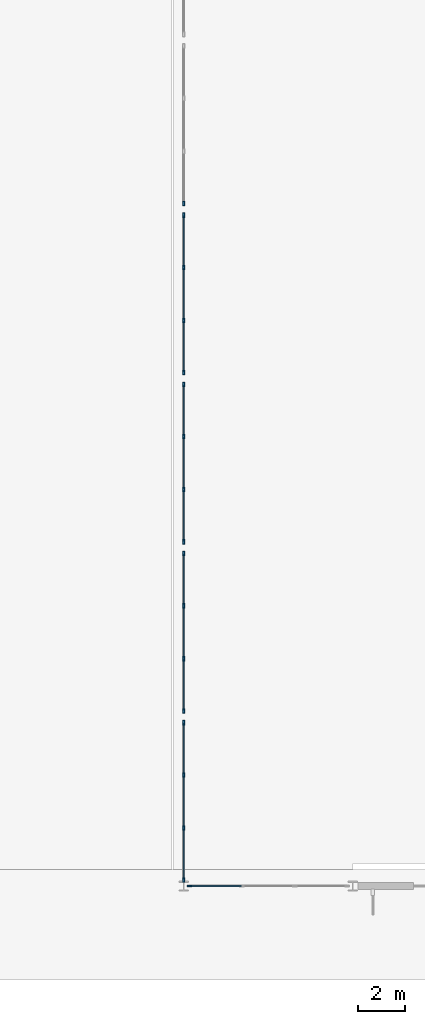
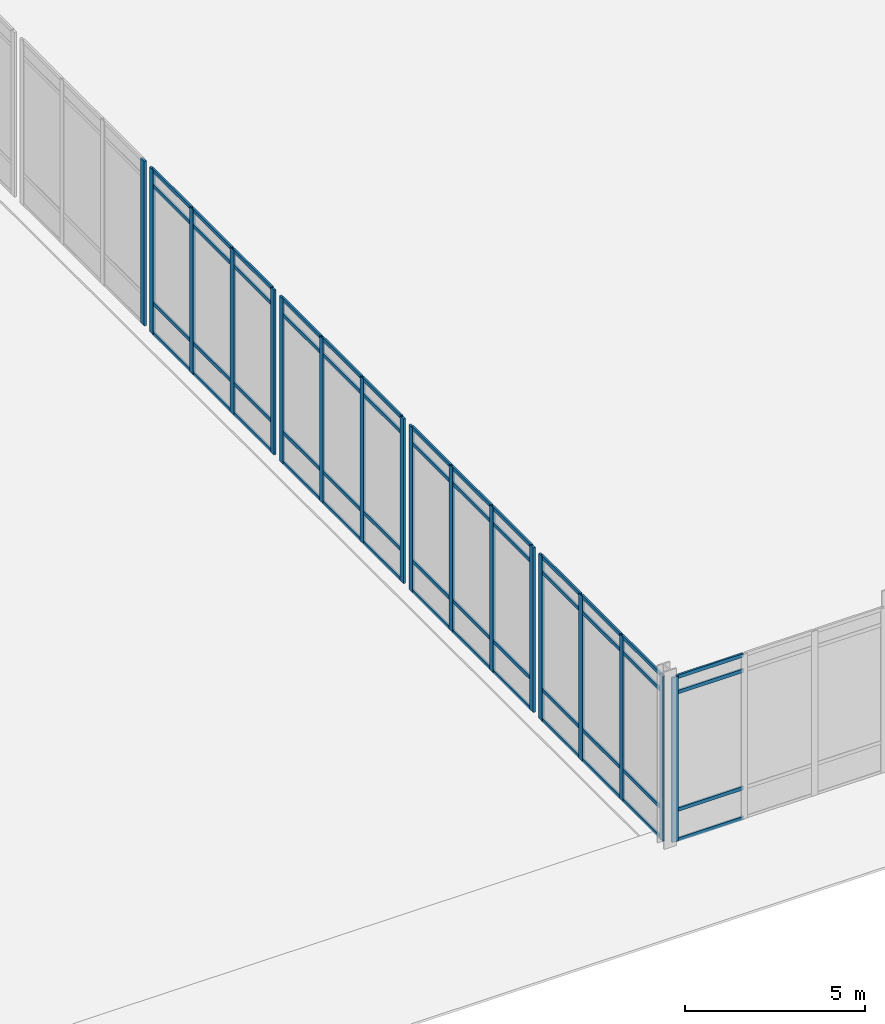
# One storey, part 19 of 104: 70 members, 6 elements without a shape of their own.
"""IFC4 building model written with IfcOpenShell, lengths in metres."""

from ifc_helpers import new_model, si_unit, direction, frame, origin, origin_2d, place, context, subcontext, project, spatial, rectangle, extrude, material, material_profile, profile_set, type_object, element, aggregate, save


model = new_model("IFC4")

# Units and contexts
model_context = context("Model", 3, precision=1e-05, world=origin(), true_north=direction((0.0, 1.0)))
body_context = subcontext(model_context, "Body", "Model", "MODEL_VIEW")
ifc_project = project(units=[si_unit("LENGTHUNIT", "METRE"), si_unit("AREAUNIT", "SQUARE_METRE"), si_unit("VOLUMEUNIT", "CUBIC_METRE"), si_unit("PLANEANGLEUNIT", "RADIAN"), si_unit("MASSUNIT", "GRAM", prefix="KILO")], contexts=[model_context])

# Site, building, storey
site_placement = place(None, origin())
site = spatial("IfcSite", under=ifc_project, at=site_placement, CompositionType="ELEMENT")
building_placement = place(site_placement, origin())
building = spatial("IfcBuilding", under=site, at=building_placement, Name="Vaelcorin Mobility Hub", CompositionType="ELEMENT")
storey_placement = place(building_placement, origin())
storey = spatial("IfcBuildingStorey", under=building, at=storey_placement, Name="L00", CompositionType="ELEMENT", Elevation=0.0)

# Curtain wall, member
ifc_material = material(Name="Anodised aluminium 6063-T6", Category="aluminium")
curtain_wall_type = type_object("IfcCurtainWallType", Name="CW-CONC-A", PredefinedType="NOTDEFINED", material=ifc_material)
curtain_wall_1_placement = place(storey_placement, origin())
curtain_wall_1 = element("IfcCurtainWall", 1, at=curtain_wall_1_placement, inside=storey, type_object=curtain_wall_type, Name="L00 Curtain Wall CW-V1-S-01", PredefinedType="NOTDEFINED")
ifc_material_profile_1 = material_profile(ifc_material, rectangle(XDim=0.070068359375, YDim=0.199951171875, at=origin_2d()), Name="ALU-M70X200")
ifc_profile_set_1 = profile_set([ifc_material_profile_1], Name="Anodised aluminium 6063-T6")
member_type_1 = type_object("IfcMemberType", Name="CW-MULL-200", PredefinedType="MULLION", material=ifc_profile_set_1)
member_1_placement = place(storey_placement, frame((36.25, 6.0, 0.0), z_axis=(0.0, 0.0, 1.0), x_axis=(0.0, -1.0, 0.0)))
member_1 = element("IfcMember", 2, at=member_1_placement, type_object=member_type_1, Name="CW1 mullion 4", PredefinedType="MULLION", context=body_context, shape_type="SweptSolid", body=[
    extrude(rectangle(XDim=0.070068359375, YDim=0.199951171875, at=origin_2d()), origin(), (0.0, 0.0, 1.0), 5.580078125),
])

# Curtain wall, members
curtain_wall_2_placement = place(storey_placement, origin())
curtain_wall_2 = element("IfcCurtainWall", 3, at=curtain_wall_2_placement, inside=storey, type_object=curtain_wall_type, Name="L00 Curtain Wall CW-V1-W-01", PredefinedType="NOTDEFINED")
member_2_placement = place(storey_placement, frame((36.0, 6.25, 0.0), z_axis=(0.0, 0.0, 1.0), x_axis=(-1.0, 0.0, 0.0)))
member_2 = element("IfcMember", 4, at=member_2_placement, type_object=member_type_1, Name="CW1 mullion 1", PredefinedType="MULLION", context=body_context, shape_type="SweptSolid", body=[
    extrude(rectangle(XDim=0.070068359375, YDim=0.199951171875, at=origin_2d()), origin(), (0.0, 0.0, 1.0), 5.580078125),
])
member_3_placement = place(storey_placement, frame((36.0, 8.473388671875, 0.0), z_axis=(0.0, 0.0, 1.0), x_axis=(-1.0, 0.0, 0.0)))
member_3 = element("IfcMember", 5, at=member_3_placement, type_object=member_type_1, Name="CW1 mullion 2", PredefinedType="MULLION", context=body_context, shape_type="SweptSolid", body=[
    extrude(rectangle(XDim=0.070068359375, YDim=0.199951171875, at=origin_2d()), origin(), (0.0, 0.0, 1.0), 5.580078125),
])
member_4_placement = place(storey_placement, frame((36.0, 10.7265625, 0.0), z_axis=(0.0, 0.0, 1.0), x_axis=(-1.0, 0.0, 0.0)))
member_4 = element("IfcMember", 6, at=member_4_placement, type_object=member_type_1, Name="CW1 mullion 3", PredefinedType="MULLION", context=body_context, shape_type="SweptSolid", body=[
    extrude(rectangle(XDim=0.070068359375, YDim=0.199951171875, at=origin_2d()), origin(), (0.0, 0.0, 1.0), 5.580078125),
])
member_5_placement = place(storey_placement, frame((36.0, 12.949951171875, 0.0), z_axis=(0.0, 0.0, 1.0), x_axis=(-1.0, 0.0, 0.0)))
member_5 = element("IfcMember", 7, at=member_5_placement, type_object=member_type_1, Name="CW1 mullion 4", PredefinedType="MULLION", context=body_context, shape_type="SweptSolid", body=[
    extrude(rectangle(XDim=0.070068359375, YDim=0.199951171875, at=origin_2d()), origin(), (0.0, 0.0, 1.0), 5.580078125),
])

curtain_wall_3_placement = place(storey_placement, origin())
curtain_wall_3 = element("IfcCurtainWall", 8, at=curtain_wall_3_placement, inside=storey, type_object=curtain_wall_type, Name="L00 Curtain Wall CW-V1-W-02", PredefinedType="NOTDEFINED")
member_6_placement = place(storey_placement, frame((36.0, 13.449951171875, 0.0), z_axis=(0.0, 0.0, 1.0), x_axis=(-1.0, 0.0, 0.0)))
member_6 = element("IfcMember", 9, at=member_6_placement, type_object=member_type_1, Name="CW1 mullion 1", PredefinedType="MULLION", context=body_context, shape_type="SweptSolid", body=[
    extrude(rectangle(XDim=0.070068359375, YDim=0.199951171875, at=origin_2d()), origin(), (0.0, 0.0, 1.0), 5.580078125),
])
member_7_placement = place(storey_placement, frame((36.0, 15.67333984375, 0.0), z_axis=(0.0, 0.0, 1.0), x_axis=(-1.0, 0.0, 0.0)))
member_7 = element("IfcMember", 10, at=member_7_placement, type_object=member_type_1, Name="CW1 mullion 2", PredefinedType="MULLION", context=body_context, shape_type="SweptSolid", body=[
    extrude(rectangle(XDim=0.070068359375, YDim=0.199951171875, at=origin_2d()), origin(), (0.0, 0.0, 1.0), 5.580078125),
])
member_8_placement = place(storey_placement, frame((36.0, 17.9267578125, 0.0), z_axis=(0.0, 0.0, 1.0), x_axis=(-1.0, 0.0, 0.0)))
member_8 = element("IfcMember", 11, at=member_8_placement, type_object=member_type_1, Name="CW1 mullion 3", PredefinedType="MULLION", context=body_context, shape_type="SweptSolid", body=[
    extrude(rectangle(XDim=0.070068359375, YDim=0.199951171875, at=origin_2d()), origin(), (0.0, 0.0, 1.0), 5.580078125),
])
member_9_placement = place(storey_placement, frame((36.0, 20.14990234375, 0.0), z_axis=(0.0, 0.0, 1.0), x_axis=(-1.0, 0.0, 0.0)))
member_9 = element("IfcMember", 12, at=member_9_placement, type_object=member_type_1, Name="CW1 mullion 4", PredefinedType="MULLION", context=body_context, shape_type="SweptSolid", body=[
    extrude(rectangle(XDim=0.070068359375, YDim=0.199951171875, at=origin_2d()), origin(), (0.0, 0.0, 1.0), 5.580078125),
])

curtain_wall_4_placement = place(storey_placement, origin())
curtain_wall_4 = element("IfcCurtainWall", 13, at=curtain_wall_4_placement, inside=storey, type_object=curtain_wall_type, Name="L00 Curtain Wall CW-V1-W-03", PredefinedType="NOTDEFINED")
member_10_placement = place(storey_placement, frame((36.0, 20.64990234375, 0.0), z_axis=(0.0, 0.0, 1.0), x_axis=(-1.0, 0.0, 0.0)))
member_10 = element("IfcMember", 14, at=member_10_placement, type_object=member_type_1, Name="CW1 mullion 1", PredefinedType="MULLION", context=body_context, shape_type="SweptSolid", body=[
    extrude(rectangle(XDim=0.070068359375, YDim=0.199951171875, at=origin_2d()), origin(), (0.0, 0.0, 1.0), 5.580078125),
])
member_11_placement = place(storey_placement, frame((36.0, 22.873291015625, 0.0), z_axis=(0.0, 0.0, 1.0), x_axis=(-1.0, 0.0, 0.0)))
member_11 = element("IfcMember", 15, at=member_11_placement, type_object=member_type_1, Name="CW1 mullion 2", PredefinedType="MULLION", context=body_context, shape_type="SweptSolid", body=[
    extrude(rectangle(XDim=0.070068359375, YDim=0.199951171875, at=origin_2d()), origin(), (0.0, 0.0, 1.0), 5.580078125),
])
member_12_placement = place(storey_placement, frame((36.0, 25.126708984375, 0.0), z_axis=(0.0, 0.0, 1.0), x_axis=(-1.0, 0.0, 0.0)))
member_12 = element("IfcMember", 16, at=member_12_placement, type_object=member_type_1, Name="CW1 mullion 3", PredefinedType="MULLION", context=body_context, shape_type="SweptSolid", body=[
    extrude(rectangle(XDim=0.070068359375, YDim=0.199951171875, at=origin_2d()), origin(), (0.0, 0.0, 1.0), 5.580078125),
])
member_13_placement = place(storey_placement, frame((36.0, 27.35009765625, 0.0), z_axis=(0.0, 0.0, 1.0), x_axis=(-1.0, 0.0, 0.0)))
member_13 = element("IfcMember", 17, at=member_13_placement, type_object=member_type_1, Name="CW1 mullion 4", PredefinedType="MULLION", context=body_context, shape_type="SweptSolid", body=[
    extrude(rectangle(XDim=0.070068359375, YDim=0.199951171875, at=origin_2d()), origin(), (0.0, 0.0, 1.0), 5.580078125),
])

curtain_wall_5_placement = place(storey_placement, origin())
curtain_wall_5 = element("IfcCurtainWall", 18, at=curtain_wall_5_placement, inside=storey, type_object=curtain_wall_type, Name="L00 Curtain Wall CW-V1-W-04", PredefinedType="NOTDEFINED")
member_14_placement = place(storey_placement, frame((36.0, 27.85009765625, 0.0), z_axis=(0.0, 0.0, 1.0), x_axis=(-1.0, 0.0, 0.0)))
member_14 = element("IfcMember", 19, at=member_14_placement, type_object=member_type_1, Name="CW1 mullion 1", PredefinedType="MULLION", context=body_context, shape_type="SweptSolid", body=[
    extrude(rectangle(XDim=0.070068359375, YDim=0.199951171875, at=origin_2d()), origin(), (0.0, 0.0, 1.0), 5.580078125),
])
member_15_placement = place(storey_placement, frame((36.0, 30.0732421875, 0.0), z_axis=(0.0, 0.0, 1.0), x_axis=(-1.0, 0.0, 0.0)))
member_15 = element("IfcMember", 20, at=member_15_placement, type_object=member_type_1, Name="CW1 mullion 2", PredefinedType="MULLION", context=body_context, shape_type="SweptSolid", body=[
    extrude(rectangle(XDim=0.070068359375, YDim=0.199951171875, at=origin_2d()), origin(), (0.0, 0.0, 1.0), 5.580078125),
])
member_16_placement = place(storey_placement, frame((36.0, 32.32666015625, 0.0), z_axis=(0.0, 0.0, 1.0), x_axis=(-1.0, 0.0, 0.0)))
member_16 = element("IfcMember", 21, at=member_16_placement, type_object=member_type_1, Name="CW1 mullion 3", PredefinedType="MULLION", context=body_context, shape_type="SweptSolid", body=[
    extrude(rectangle(XDim=0.070068359375, YDim=0.199951171875, at=origin_2d()), origin(), (0.0, 0.0, 1.0), 5.580078125),
])
member_17_placement = place(storey_placement, frame((36.0, 34.550048828125, 0.0), z_axis=(0.0, 0.0, 1.0), x_axis=(-1.0, 0.0, 0.0)))
member_17 = element("IfcMember", 22, at=member_17_placement, type_object=member_type_1, Name="CW1 mullion 4", PredefinedType="MULLION", context=body_context, shape_type="SweptSolid", body=[
    extrude(rectangle(XDim=0.070068359375, YDim=0.199951171875, at=origin_2d()), origin(), (0.0, 0.0, 1.0), 5.580078125),
])

# Curtain wall, member
curtain_wall_6_placement = place(storey_placement, origin())
curtain_wall_6 = element("IfcCurtainWall", 23, at=curtain_wall_6_placement, inside=storey, type_object=curtain_wall_type, Name="L00 Curtain Wall CW-V1-W-05", PredefinedType="NOTDEFINED")
member_18_placement = place(storey_placement, frame((36.0, 35.050048828125, 0.0), z_axis=(0.0, 0.0, 1.0), x_axis=(-1.0, 0.0, 0.0)))
member_18 = element("IfcMember", 24, at=member_18_placement, type_object=member_type_1, Name="CW1 mullion 1", PredefinedType="MULLION", context=body_context, shape_type="SweptSolid", body=[
    extrude(rectangle(XDim=0.070068359375, YDim=0.199951171875, at=origin_2d()), origin(), (0.0, 0.0, 1.0), 5.580078125),
])
aggregate(curtain_wall_6, [member_18])

# Member
ifc_material_profile_2 = material_profile(ifc_material, rectangle(XDim=0.06005859375, YDim=0.1201171875, at=origin_2d()), Name="ALU-T60X120")
ifc_profile_set_2 = profile_set([ifc_material_profile_2], Name="Anodised aluminium 6063-T6")
member_type_2 = type_object("IfcMemberType", Name="CW-TRAN-140", PredefinedType="USERDEFINED", material=ifc_profile_set_2)
member_19_placement = place(storey_placement, frame((38.443359375, 6.0, 0.030029296875), z_axis=(-1.0, 0.0, 0.0), x_axis=(0.0, -1.0, 0.0)))
member_19 = element("IfcMember", 25, at=member_19_placement, type_object=member_type_2, Name="CW1 transom 3.1", ObjectType="TRANSOM", PredefinedType="USERDEFINED", context=body_context, shape_type="SweptSolid", body=[
    extrude(rectangle(XDim=0.06005859375, YDim=0.1201171875, at=origin_2d()), origin(), (0.0, 0.0, 1.0), 2.163330078125),
])

member_20_placement = place(storey_placement, frame((38.443359375, 6.0, 1.050048828125), z_axis=(-1.0, 0.0, 0.0), x_axis=(0.0, -1.0, 0.0)))
member_20 = element("IfcMember", 26, at=member_20_placement, type_object=member_type_2, Name="CW1 transom 3.2", ObjectType="TRANSOM", PredefinedType="USERDEFINED", context=body_context, shape_type="SweptSolid", body=[
    extrude(rectangle(XDim=0.06005859375, YDim=0.1201171875, at=origin_2d()), origin(), (0.0, 0.0, 1.0), 2.163330078125),
])

member_21_placement = place(storey_placement, frame((38.443359375, 6.0, 5.030029296875), z_axis=(-1.0, 0.0, 0.0), x_axis=(0.0, -1.0, 0.0)))
member_21 = element("IfcMember", 27, at=member_21_placement, type_object=member_type_2, Name="CW1 transom 3.3", ObjectType="TRANSOM", PredefinedType="USERDEFINED", context=body_context, shape_type="SweptSolid", body=[
    extrude(rectangle(XDim=0.06005859375, YDim=0.1201171875, at=origin_2d()), origin(), (0.0, 0.0, 1.0), 2.163330078125),
])

member_22_placement = place(storey_placement, frame((38.443359375, 6.0, 5.550048828125), z_axis=(-1.0, 0.0, 0.0), x_axis=(0.0, -1.0, 0.0)))
member_22 = element("IfcMember", 28, at=member_22_placement, type_object=member_type_2, Name="CW1 transom 3.4", ObjectType="TRANSOM", PredefinedType="USERDEFINED", context=body_context, shape_type="SweptSolid", body=[
    extrude(rectangle(XDim=0.06005859375, YDim=0.1201171875, at=origin_2d()), origin(), (0.0, 0.0, 1.0), 2.163330078125),
])

aggregate(curtain_wall_1, [member_1, member_19, member_20, member_21, member_22])

member_23_placement = place(storey_placement, frame((36.0, 6.280029296875, 0.030029296875), z_axis=(0.0, 1.0, 0.0), x_axis=(-1.0, 0.0, 0.0)))
member_23 = element("IfcMember", 29, at=member_23_placement, type_object=member_type_2, Name="CW1 transom 1.1", ObjectType="TRANSOM", PredefinedType="USERDEFINED", context=body_context, shape_type="SweptSolid", body=[
    extrude(rectangle(XDim=0.06005859375, YDim=0.1201171875, at=origin_2d()), origin(), (0.0, 0.0, 1.0), 2.163330078125),
])

member_24_placement = place(storey_placement, frame((36.0, 6.280029296875, 1.050048828125), z_axis=(0.0, 1.0, 0.0), x_axis=(-1.0, 0.0, 0.0)))
member_24 = element("IfcMember", 30, at=member_24_placement, type_object=member_type_2, Name="CW1 transom 1.2", ObjectType="TRANSOM", PredefinedType="USERDEFINED", context=body_context, shape_type="SweptSolid", body=[
    extrude(rectangle(XDim=0.06005859375, YDim=0.1201171875, at=origin_2d()), origin(), (0.0, 0.0, 1.0), 2.163330078125),
])

member_25_placement = place(storey_placement, frame((36.0, 6.280029296875, 5.030029296875), z_axis=(0.0, 1.0, 0.0), x_axis=(-1.0, 0.0, 0.0)))
member_25 = element("IfcMember", 31, at=member_25_placement, type_object=member_type_2, Name="CW1 transom 1.3", ObjectType="TRANSOM", PredefinedType="USERDEFINED", context=body_context, shape_type="SweptSolid", body=[
    extrude(rectangle(XDim=0.06005859375, YDim=0.1201171875, at=origin_2d()), origin(), (0.0, 0.0, 1.0), 2.163330078125),
])

member_26_placement = place(storey_placement, frame((36.0, 6.280029296875, 5.550048828125), z_axis=(0.0, 1.0, 0.0), x_axis=(-1.0, 0.0, 0.0)))
member_26 = element("IfcMember", 32, at=member_26_placement, type_object=member_type_2, Name="CW1 transom 1.4", ObjectType="TRANSOM", PredefinedType="USERDEFINED", context=body_context, shape_type="SweptSolid", body=[
    extrude(rectangle(XDim=0.06005859375, YDim=0.1201171875, at=origin_2d()), origin(), (0.0, 0.0, 1.0), 2.163330078125),
])

member_27_placement = place(storey_placement, frame((36.0, 8.50341796875, 0.030029296875), z_axis=(0.0, 1.0, 0.0), x_axis=(-1.0, 0.0, 0.0)))
member_27 = element("IfcMember", 33, at=member_27_placement, type_object=member_type_2, Name="CW1 transom 2.1", ObjectType="TRANSOM", PredefinedType="USERDEFINED", context=body_context, shape_type="SweptSolid", body=[
    extrude(rectangle(XDim=0.06005859375, YDim=0.1201171875, at=origin_2d()), origin(), (0.0, 0.0, 1.0), 2.193359375),
])

member_28_placement = place(storey_placement, frame((36.0, 8.50341796875, 1.050048828125), z_axis=(0.0, 1.0, 0.0), x_axis=(-1.0, 0.0, 0.0)))
member_28 = element("IfcMember", 34, at=member_28_placement, type_object=member_type_2, Name="CW1 transom 2.2", ObjectType="TRANSOM", PredefinedType="USERDEFINED", context=body_context, shape_type="SweptSolid", body=[
    extrude(rectangle(XDim=0.06005859375, YDim=0.1201171875, at=origin_2d()), origin(), (0.0, 0.0, 1.0), 2.193359375),
])

member_29_placement = place(storey_placement, frame((36.0, 8.50341796875, 5.030029296875), z_axis=(0.0, 1.0, 0.0), x_axis=(-1.0, 0.0, 0.0)))
member_29 = element("IfcMember", 35, at=member_29_placement, type_object=member_type_2, Name="CW1 transom 2.3", ObjectType="TRANSOM", PredefinedType="USERDEFINED", context=body_context, shape_type="SweptSolid", body=[
    extrude(rectangle(XDim=0.06005859375, YDim=0.1201171875, at=origin_2d()), origin(), (0.0, 0.0, 1.0), 2.193359375),
])

member_30_placement = place(storey_placement, frame((36.0, 8.50341796875, 5.550048828125), z_axis=(0.0, 1.0, 0.0), x_axis=(-1.0, 0.0, 0.0)))
member_30 = element("IfcMember", 36, at=member_30_placement, type_object=member_type_2, Name="CW1 transom 2.4", ObjectType="TRANSOM", PredefinedType="USERDEFINED", context=body_context, shape_type="SweptSolid", body=[
    extrude(rectangle(XDim=0.06005859375, YDim=0.1201171875, at=origin_2d()), origin(), (0.0, 0.0, 1.0), 2.193359375),
])

member_31_placement = place(storey_placement, frame((36.0, 10.756591796875, 0.030029296875), z_axis=(0.0, 1.0, 0.0), x_axis=(-1.0, 0.0, 0.0)))
member_31 = element("IfcMember", 37, at=member_31_placement, type_object=member_type_2, Name="CW1 transom 3.1", ObjectType="TRANSOM", PredefinedType="USERDEFINED", context=body_context, shape_type="SweptSolid", body=[
    extrude(rectangle(XDim=0.06005859375, YDim=0.1201171875, at=origin_2d()), origin(), (0.0, 0.0, 1.0), 2.163330078125),
])

member_32_placement = place(storey_placement, frame((36.0, 10.756591796875, 1.050048828125), z_axis=(0.0, 1.0, 0.0), x_axis=(-1.0, 0.0, 0.0)))
member_32 = element("IfcMember", 38, at=member_32_placement, type_object=member_type_2, Name="CW1 transom 3.2", ObjectType="TRANSOM", PredefinedType="USERDEFINED", context=body_context, shape_type="SweptSolid", body=[
    extrude(rectangle(XDim=0.06005859375, YDim=0.1201171875, at=origin_2d()), origin(), (0.0, 0.0, 1.0), 2.163330078125),
])

member_33_placement = place(storey_placement, frame((36.0, 10.756591796875, 5.030029296875), z_axis=(0.0, 1.0, 0.0), x_axis=(-1.0, 0.0, 0.0)))
member_33 = element("IfcMember", 39, at=member_33_placement, type_object=member_type_2, Name="CW1 transom 3.3", ObjectType="TRANSOM", PredefinedType="USERDEFINED", context=body_context, shape_type="SweptSolid", body=[
    extrude(rectangle(XDim=0.06005859375, YDim=0.1201171875, at=origin_2d()), origin(), (0.0, 0.0, 1.0), 2.163330078125),
])

member_34_placement = place(storey_placement, frame((36.0, 10.756591796875, 5.550048828125), z_axis=(0.0, 1.0, 0.0), x_axis=(-1.0, 0.0, 0.0)))
member_34 = element("IfcMember", 40, at=member_34_placement, type_object=member_type_2, Name="CW1 transom 3.4", ObjectType="TRANSOM", PredefinedType="USERDEFINED", context=body_context, shape_type="SweptSolid", body=[
    extrude(rectangle(XDim=0.06005859375, YDim=0.1201171875, at=origin_2d()), origin(), (0.0, 0.0, 1.0), 2.163330078125),
])

aggregate(curtain_wall_2, [member_2, member_3, member_4, member_5, member_23, member_24, member_25, member_26, member_27, member_28, member_29, member_30, member_31, member_32, member_33, member_34])

member_35_placement = place(storey_placement, frame((36.0, 13.47998046875, 0.030029296875), z_axis=(0.0, 1.0, 0.0), x_axis=(-1.0, 0.0, 0.0)))
member_35 = element("IfcMember", 41, at=member_35_placement, type_object=member_type_2, Name="CW1 transom 1.1", ObjectType="TRANSOM", PredefinedType="USERDEFINED", context=body_context, shape_type="SweptSolid", body=[
    extrude(rectangle(XDim=0.06005859375, YDim=0.1201171875, at=origin_2d()), origin(), (0.0, 0.0, 1.0), 2.163330078125),
])

member_36_placement = place(storey_placement, frame((36.0, 13.47998046875, 1.050048828125), z_axis=(0.0, 1.0, 0.0), x_axis=(-1.0, 0.0, 0.0)))
member_36 = element("IfcMember", 42, at=member_36_placement, type_object=member_type_2, Name="CW1 transom 1.2", ObjectType="TRANSOM", PredefinedType="USERDEFINED", context=body_context, shape_type="SweptSolid", body=[
    extrude(rectangle(XDim=0.06005859375, YDim=0.1201171875, at=origin_2d()), origin(), (0.0, 0.0, 1.0), 2.163330078125),
])

member_37_placement = place(storey_placement, frame((36.0, 13.47998046875, 5.030029296875), z_axis=(0.0, 1.0, 0.0), x_axis=(-1.0, 0.0, 0.0)))
member_37 = element("IfcMember", 43, at=member_37_placement, type_object=member_type_2, Name="CW1 transom 1.3", ObjectType="TRANSOM", PredefinedType="USERDEFINED", context=body_context, shape_type="SweptSolid", body=[
    extrude(rectangle(XDim=0.06005859375, YDim=0.1201171875, at=origin_2d()), origin(), (0.0, 0.0, 1.0), 2.163330078125),
])

member_38_placement = place(storey_placement, frame((36.0, 13.47998046875, 5.550048828125), z_axis=(0.0, 1.0, 0.0), x_axis=(-1.0, 0.0, 0.0)))
member_38 = element("IfcMember", 44, at=member_38_placement, type_object=member_type_2, Name="CW1 transom 1.4", ObjectType="TRANSOM", PredefinedType="USERDEFINED", context=body_context, shape_type="SweptSolid", body=[
    extrude(rectangle(XDim=0.06005859375, YDim=0.1201171875, at=origin_2d()), origin(), (0.0, 0.0, 1.0), 2.163330078125),
])

member_39_placement = place(storey_placement, frame((36.0, 15.703369140625, 0.030029296875), z_axis=(0.0, 1.0, 0.0), x_axis=(-1.0, 0.0, 0.0)))
member_39 = element("IfcMember", 45, at=member_39_placement, type_object=member_type_2, Name="CW1 transom 2.1", ObjectType="TRANSOM", PredefinedType="USERDEFINED", context=body_context, shape_type="SweptSolid", body=[
    extrude(rectangle(XDim=0.06005859375, YDim=0.1201171875, at=origin_2d()), origin(), (0.0, 0.0, 1.0), 2.193359375),
])

member_40_placement = place(storey_placement, frame((36.0, 15.703369140625, 1.050048828125), z_axis=(0.0, 1.0, 0.0), x_axis=(-1.0, 0.0, 0.0)))
member_40 = element("IfcMember", 46, at=member_40_placement, type_object=member_type_2, Name="CW1 transom 2.2", ObjectType="TRANSOM", PredefinedType="USERDEFINED", context=body_context, shape_type="SweptSolid", body=[
    extrude(rectangle(XDim=0.06005859375, YDim=0.1201171875, at=origin_2d()), origin(), (0.0, 0.0, 1.0), 2.193359375),
])

member_41_placement = place(storey_placement, frame((36.0, 15.703369140625, 5.030029296875), z_axis=(0.0, 1.0, 0.0), x_axis=(-1.0, 0.0, 0.0)))
member_41 = element("IfcMember", 47, at=member_41_placement, type_object=member_type_2, Name="CW1 transom 2.3", ObjectType="TRANSOM", PredefinedType="USERDEFINED", context=body_context, shape_type="SweptSolid", body=[
    extrude(rectangle(XDim=0.06005859375, YDim=0.1201171875, at=origin_2d()), origin(), (0.0, 0.0, 1.0), 2.193359375),
])

member_42_placement = place(storey_placement, frame((36.0, 15.703369140625, 5.550048828125), z_axis=(0.0, 1.0, 0.0), x_axis=(-1.0, 0.0, 0.0)))
member_42 = element("IfcMember", 48, at=member_42_placement, type_object=member_type_2, Name="CW1 transom 2.4", ObjectType="TRANSOM", PredefinedType="USERDEFINED", context=body_context, shape_type="SweptSolid", body=[
    extrude(rectangle(XDim=0.06005859375, YDim=0.1201171875, at=origin_2d()), origin(), (0.0, 0.0, 1.0), 2.193359375),
])

member_43_placement = place(storey_placement, frame((36.0, 17.956787109375, 0.030029296875), z_axis=(0.0, 1.0, 0.0), x_axis=(-1.0, 0.0, 0.0)))
member_43 = element("IfcMember", 49, at=member_43_placement, type_object=member_type_2, Name="CW1 transom 3.1", ObjectType="TRANSOM", PredefinedType="USERDEFINED", context=body_context, shape_type="SweptSolid", body=[
    extrude(rectangle(XDim=0.06005859375, YDim=0.1201171875, at=origin_2d()), origin(), (0.0, 0.0, 1.0), 2.163330078125),
])

member_44_placement = place(storey_placement, frame((36.0, 17.956787109375, 1.050048828125), z_axis=(0.0, 1.0, 0.0), x_axis=(-1.0, 0.0, 0.0)))
member_44 = element("IfcMember", 50, at=member_44_placement, type_object=member_type_2, Name="CW1 transom 3.2", ObjectType="TRANSOM", PredefinedType="USERDEFINED", context=body_context, shape_type="SweptSolid", body=[
    extrude(rectangle(XDim=0.06005859375, YDim=0.1201171875, at=origin_2d()), origin(), (0.0, 0.0, 1.0), 2.163330078125),
])

member_45_placement = place(storey_placement, frame((36.0, 17.956787109375, 5.030029296875), z_axis=(0.0, 1.0, 0.0), x_axis=(-1.0, 0.0, 0.0)))
member_45 = element("IfcMember", 51, at=member_45_placement, type_object=member_type_2, Name="CW1 transom 3.3", ObjectType="TRANSOM", PredefinedType="USERDEFINED", context=body_context, shape_type="SweptSolid", body=[
    extrude(rectangle(XDim=0.06005859375, YDim=0.1201171875, at=origin_2d()), origin(), (0.0, 0.0, 1.0), 2.163330078125),
])

member_46_placement = place(storey_placement, frame((36.0, 17.956787109375, 5.550048828125), z_axis=(0.0, 1.0, 0.0), x_axis=(-1.0, 0.0, 0.0)))
member_46 = element("IfcMember", 52, at=member_46_placement, type_object=member_type_2, Name="CW1 transom 3.4", ObjectType="TRANSOM", PredefinedType="USERDEFINED", context=body_context, shape_type="SweptSolid", body=[
    extrude(rectangle(XDim=0.06005859375, YDim=0.1201171875, at=origin_2d()), origin(), (0.0, 0.0, 1.0), 2.163330078125),
])

aggregate(curtain_wall_3, [member_6, member_7, member_8, member_9, member_35, member_36, member_37, member_38, member_39, member_40, member_41, member_42, member_43, member_44, member_45, member_46])

member_47_placement = place(storey_placement, frame((36.0, 20.679931640625, 0.030029296875), z_axis=(0.0, 1.0, 0.0), x_axis=(-1.0, 0.0, 0.0)))
member_47 = element("IfcMember", 53, at=member_47_placement, type_object=member_type_2, Name="CW1 transom 1.1", ObjectType="TRANSOM", PredefinedType="USERDEFINED", context=body_context, shape_type="SweptSolid", body=[
    extrude(rectangle(XDim=0.06005859375, YDim=0.1201171875, at=origin_2d()), origin(), (0.0, 0.0, 1.0), 2.163330078125),
])

member_48_placement = place(storey_placement, frame((36.0, 20.679931640625, 1.050048828125), z_axis=(0.0, 1.0, 0.0), x_axis=(-1.0, 0.0, 0.0)))
member_48 = element("IfcMember", 54, at=member_48_placement, type_object=member_type_2, Name="CW1 transom 1.2", ObjectType="TRANSOM", PredefinedType="USERDEFINED", context=body_context, shape_type="SweptSolid", body=[
    extrude(rectangle(XDim=0.06005859375, YDim=0.1201171875, at=origin_2d()), origin(), (0.0, 0.0, 1.0), 2.163330078125),
])

member_49_placement = place(storey_placement, frame((36.0, 20.679931640625, 5.030029296875), z_axis=(0.0, 1.0, 0.0), x_axis=(-1.0, 0.0, 0.0)))
member_49 = element("IfcMember", 55, at=member_49_placement, type_object=member_type_2, Name="CW1 transom 1.3", ObjectType="TRANSOM", PredefinedType="USERDEFINED", context=body_context, shape_type="SweptSolid", body=[
    extrude(rectangle(XDim=0.06005859375, YDim=0.1201171875, at=origin_2d()), origin(), (0.0, 0.0, 1.0), 2.163330078125),
])

member_50_placement = place(storey_placement, frame((36.0, 20.679931640625, 5.550048828125), z_axis=(0.0, 1.0, 0.0), x_axis=(-1.0, 0.0, 0.0)))
member_50 = element("IfcMember", 56, at=member_50_placement, type_object=member_type_2, Name="CW1 transom 1.4", ObjectType="TRANSOM", PredefinedType="USERDEFINED", context=body_context, shape_type="SweptSolid", body=[
    extrude(rectangle(XDim=0.06005859375, YDim=0.1201171875, at=origin_2d()), origin(), (0.0, 0.0, 1.0), 2.163330078125),
])

member_51_placement = place(storey_placement, frame((36.0, 22.9033203125, 0.030029296875), z_axis=(0.0, 1.0, 0.0), x_axis=(-1.0, 0.0, 0.0)))
member_51 = element("IfcMember", 57, at=member_51_placement, type_object=member_type_2, Name="CW1 transom 2.1", ObjectType="TRANSOM", PredefinedType="USERDEFINED", context=body_context, shape_type="SweptSolid", body=[
    extrude(rectangle(XDim=0.06005859375, YDim=0.1201171875, at=origin_2d()), origin(), (0.0, 0.0, 1.0), 2.193359375),
])

member_52_placement = place(storey_placement, frame((36.0, 22.9033203125, 1.050048828125), z_axis=(0.0, 1.0, 0.0), x_axis=(-1.0, 0.0, 0.0)))
member_52 = element("IfcMember", 58, at=member_52_placement, type_object=member_type_2, Name="CW1 transom 2.2", ObjectType="TRANSOM", PredefinedType="USERDEFINED", context=body_context, shape_type="SweptSolid", body=[
    extrude(rectangle(XDim=0.06005859375, YDim=0.1201171875, at=origin_2d()), origin(), (0.0, 0.0, 1.0), 2.193359375),
])

member_53_placement = place(storey_placement, frame((36.0, 22.9033203125, 5.030029296875), z_axis=(0.0, 1.0, 0.0), x_axis=(-1.0, 0.0, 0.0)))
member_53 = element("IfcMember", 59, at=member_53_placement, type_object=member_type_2, Name="CW1 transom 2.3", ObjectType="TRANSOM", PredefinedType="USERDEFINED", context=body_context, shape_type="SweptSolid", body=[
    extrude(rectangle(XDim=0.06005859375, YDim=0.1201171875, at=origin_2d()), origin(), (0.0, 0.0, 1.0), 2.193359375),
])

member_54_placement = place(storey_placement, frame((36.0, 22.9033203125, 5.550048828125), z_axis=(0.0, 1.0, 0.0), x_axis=(-1.0, 0.0, 0.0)))
member_54 = element("IfcMember", 60, at=member_54_placement, type_object=member_type_2, Name="CW1 transom 2.4", ObjectType="TRANSOM", PredefinedType="USERDEFINED", context=body_context, shape_type="SweptSolid", body=[
    extrude(rectangle(XDim=0.06005859375, YDim=0.1201171875, at=origin_2d()), origin(), (0.0, 0.0, 1.0), 2.193359375),
])

member_55_placement = place(storey_placement, frame((36.0, 25.15673828125, 0.030029296875), z_axis=(0.0, 1.0, 0.0), x_axis=(-1.0, 0.0, 0.0)))
member_55 = element("IfcMember", 61, at=member_55_placement, type_object=member_type_2, Name="CW1 transom 3.1", ObjectType="TRANSOM", PredefinedType="USERDEFINED", context=body_context, shape_type="SweptSolid", body=[
    extrude(rectangle(XDim=0.06005859375, YDim=0.1201171875, at=origin_2d()), origin(), (0.0, 0.0, 1.0), 2.163330078125),
])

member_56_placement = place(storey_placement, frame((36.0, 25.15673828125, 1.050048828125), z_axis=(0.0, 1.0, 0.0), x_axis=(-1.0, 0.0, 0.0)))
member_56 = element("IfcMember", 62, at=member_56_placement, type_object=member_type_2, Name="CW1 transom 3.2", ObjectType="TRANSOM", PredefinedType="USERDEFINED", context=body_context, shape_type="SweptSolid", body=[
    extrude(rectangle(XDim=0.06005859375, YDim=0.1201171875, at=origin_2d()), origin(), (0.0, 0.0, 1.0), 2.163330078125),
])

member_57_placement = place(storey_placement, frame((36.0, 25.15673828125, 5.030029296875), z_axis=(0.0, 1.0, 0.0), x_axis=(-1.0, 0.0, 0.0)))
member_57 = element("IfcMember", 63, at=member_57_placement, type_object=member_type_2, Name="CW1 transom 3.3", ObjectType="TRANSOM", PredefinedType="USERDEFINED", context=body_context, shape_type="SweptSolid", body=[
    extrude(rectangle(XDim=0.06005859375, YDim=0.1201171875, at=origin_2d()), origin(), (0.0, 0.0, 1.0), 2.163330078125),
])

member_58_placement = place(storey_placement, frame((36.0, 25.15673828125, 5.550048828125), z_axis=(0.0, 1.0, 0.0), x_axis=(-1.0, 0.0, 0.0)))
member_58 = element("IfcMember", 64, at=member_58_placement, type_object=member_type_2, Name="CW1 transom 3.4", ObjectType="TRANSOM", PredefinedType="USERDEFINED", context=body_context, shape_type="SweptSolid", body=[
    extrude(rectangle(XDim=0.06005859375, YDim=0.1201171875, at=origin_2d()), origin(), (0.0, 0.0, 1.0), 2.163330078125),
])

aggregate(curtain_wall_4, [member_10, member_11, member_12, member_13, member_47, member_48, member_49, member_50, member_51, member_52, member_53, member_54, member_55, member_56, member_57, member_58])

member_59_placement = place(storey_placement, frame((36.0, 27.8798828125, 0.030029296875), z_axis=(0.0, 1.0, 0.0), x_axis=(-1.0, 0.0, 0.0)))
member_59 = element("IfcMember", 65, at=member_59_placement, type_object=member_type_2, Name="CW1 transom 1.1", ObjectType="TRANSOM", PredefinedType="USERDEFINED", context=body_context, shape_type="SweptSolid", body=[
    extrude(rectangle(XDim=0.06005859375, YDim=0.1201171875, at=origin_2d()), origin(), (0.0, 0.0, 1.0), 2.163330078125),
])

member_60_placement = place(storey_placement, frame((36.0, 27.8798828125, 1.050048828125), z_axis=(0.0, 1.0, 0.0), x_axis=(-1.0, 0.0, 0.0)))
member_60 = element("IfcMember", 66, at=member_60_placement, type_object=member_type_2, Name="CW1 transom 1.2", ObjectType="TRANSOM", PredefinedType="USERDEFINED", context=body_context, shape_type="SweptSolid", body=[
    extrude(rectangle(XDim=0.06005859375, YDim=0.1201171875, at=origin_2d()), origin(), (0.0, 0.0, 1.0), 2.163330078125),
])

member_61_placement = place(storey_placement, frame((36.0, 27.8798828125, 5.030029296875), z_axis=(0.0, 1.0, 0.0), x_axis=(-1.0, 0.0, 0.0)))
member_61 = element("IfcMember", 67, at=member_61_placement, type_object=member_type_2, Name="CW1 transom 1.3", ObjectType="TRANSOM", PredefinedType="USERDEFINED", context=body_context, shape_type="SweptSolid", body=[
    extrude(rectangle(XDim=0.06005859375, YDim=0.1201171875, at=origin_2d()), origin(), (0.0, 0.0, 1.0), 2.163330078125),
])

member_62_placement = place(storey_placement, frame((36.0, 27.8798828125, 5.550048828125), z_axis=(0.0, 1.0, 0.0), x_axis=(-1.0, 0.0, 0.0)))
member_62 = element("IfcMember", 68, at=member_62_placement, type_object=member_type_2, Name="CW1 transom 1.4", ObjectType="TRANSOM", PredefinedType="USERDEFINED", context=body_context, shape_type="SweptSolid", body=[
    extrude(rectangle(XDim=0.06005859375, YDim=0.1201171875, at=origin_2d()), origin(), (0.0, 0.0, 1.0), 2.163330078125),
])

member_63_placement = place(storey_placement, frame((36.0, 30.103271484375, 0.030029296875), z_axis=(0.0, 1.0, 0.0), x_axis=(-1.0, 0.0, 0.0)))
member_63 = element("IfcMember", 69, at=member_63_placement, type_object=member_type_2, Name="CW1 transom 2.1", ObjectType="TRANSOM", PredefinedType="USERDEFINED", context=body_context, shape_type="SweptSolid", body=[
    extrude(rectangle(XDim=0.06005859375, YDim=0.1201171875, at=origin_2d()), origin(), (0.0, 0.0, 1.0), 2.193359375),
])

member_64_placement = place(storey_placement, frame((36.0, 30.103271484375, 1.050048828125), z_axis=(0.0, 1.0, 0.0), x_axis=(-1.0, 0.0, 0.0)))
member_64 = element("IfcMember", 70, at=member_64_placement, type_object=member_type_2, Name="CW1 transom 2.2", ObjectType="TRANSOM", PredefinedType="USERDEFINED", context=body_context, shape_type="SweptSolid", body=[
    extrude(rectangle(XDim=0.06005859375, YDim=0.1201171875, at=origin_2d()), origin(), (0.0, 0.0, 1.0), 2.193359375),
])

member_65_placement = place(storey_placement, frame((36.0, 30.103271484375, 5.030029296875), z_axis=(0.0, 1.0, 0.0), x_axis=(-1.0, 0.0, 0.0)))
member_65 = element("IfcMember", 71, at=member_65_placement, type_object=member_type_2, Name="CW1 transom 2.3", ObjectType="TRANSOM", PredefinedType="USERDEFINED", context=body_context, shape_type="SweptSolid", body=[
    extrude(rectangle(XDim=0.06005859375, YDim=0.1201171875, at=origin_2d()), origin(), (0.0, 0.0, 1.0), 2.193359375),
])

member_66_placement = place(storey_placement, frame((36.0, 30.103271484375, 5.550048828125), z_axis=(0.0, 1.0, 0.0), x_axis=(-1.0, 0.0, 0.0)))
member_66 = element("IfcMember", 72, at=member_66_placement, type_object=member_type_2, Name="CW1 transom 2.4", ObjectType="TRANSOM", PredefinedType="USERDEFINED", context=body_context, shape_type="SweptSolid", body=[
    extrude(rectangle(XDim=0.06005859375, YDim=0.1201171875, at=origin_2d()), origin(), (0.0, 0.0, 1.0), 2.193359375),
])

member_67_placement = place(storey_placement, frame((36.0, 32.356689453125, 0.030029296875), z_axis=(0.0, 1.0, 0.0), x_axis=(-1.0, 0.0, 0.0)))
member_67 = element("IfcMember", 73, at=member_67_placement, type_object=member_type_2, Name="CW1 transom 3.1", ObjectType="TRANSOM", PredefinedType="USERDEFINED", context=body_context, shape_type="SweptSolid", body=[
    extrude(rectangle(XDim=0.06005859375, YDim=0.1201171875, at=origin_2d()), origin(), (0.0, 0.0, 1.0), 2.163330078125),
])

member_68_placement = place(storey_placement, frame((36.0, 32.356689453125, 1.050048828125), z_axis=(0.0, 1.0, 0.0), x_axis=(-1.0, 0.0, 0.0)))
member_68 = element("IfcMember", 74, at=member_68_placement, type_object=member_type_2, Name="CW1 transom 3.2", ObjectType="TRANSOM", PredefinedType="USERDEFINED", context=body_context, shape_type="SweptSolid", body=[
    extrude(rectangle(XDim=0.06005859375, YDim=0.1201171875, at=origin_2d()), origin(), (0.0, 0.0, 1.0), 2.163330078125),
])

member_69_placement = place(storey_placement, frame((36.0, 32.356689453125, 5.030029296875), z_axis=(0.0, 1.0, 0.0), x_axis=(-1.0, 0.0, 0.0)))
member_69 = element("IfcMember", 75, at=member_69_placement, type_object=member_type_2, Name="CW1 transom 3.3", ObjectType="TRANSOM", PredefinedType="USERDEFINED", context=body_context, shape_type="SweptSolid", body=[
    extrude(rectangle(XDim=0.06005859375, YDim=0.1201171875, at=origin_2d()), origin(), (0.0, 0.0, 1.0), 2.163330078125),
])

member_70_placement = place(storey_placement, frame((36.0, 32.356689453125, 5.550048828125), z_axis=(0.0, 1.0, 0.0), x_axis=(-1.0, 0.0, 0.0)))
member_70 = element("IfcMember", 76, at=member_70_placement, type_object=member_type_2, Name="CW1 transom 3.4", ObjectType="TRANSOM", PredefinedType="USERDEFINED", context=body_context, shape_type="SweptSolid", body=[
    extrude(rectangle(XDim=0.06005859375, YDim=0.1201171875, at=origin_2d()), origin(), (0.0, 0.0, 1.0), 2.163330078125),
])

aggregate(curtain_wall_5, [member_14, member_15, member_16, member_17, member_59, member_60, member_61, member_62, member_63, member_64, member_65, member_66, member_67, member_68, member_69, member_70])

save(model, "model.ifc")
